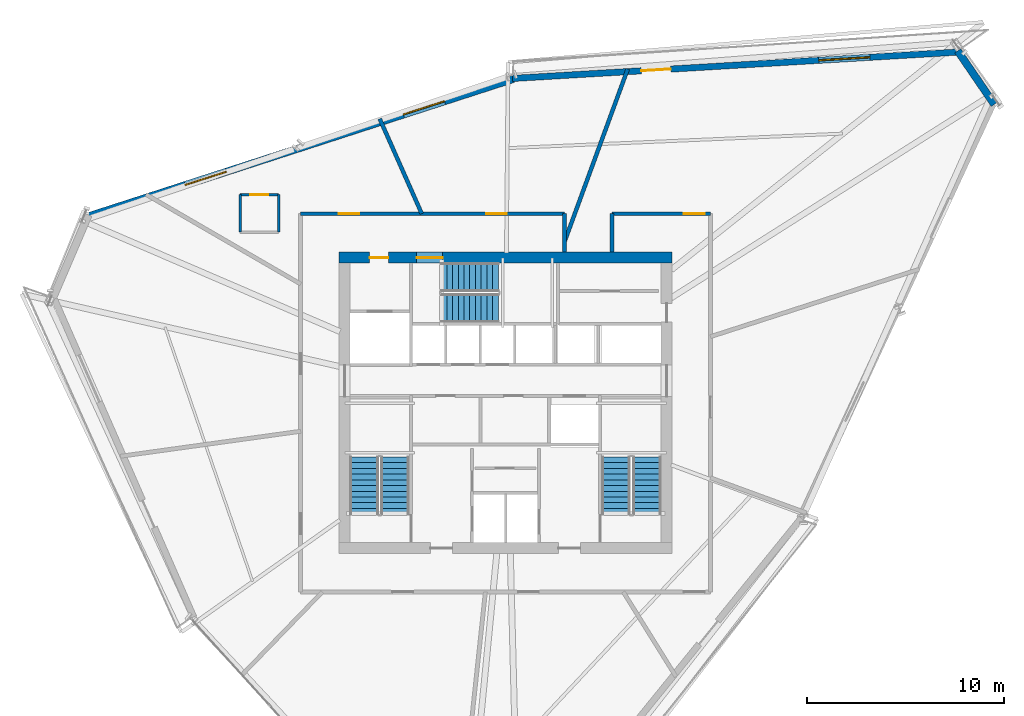
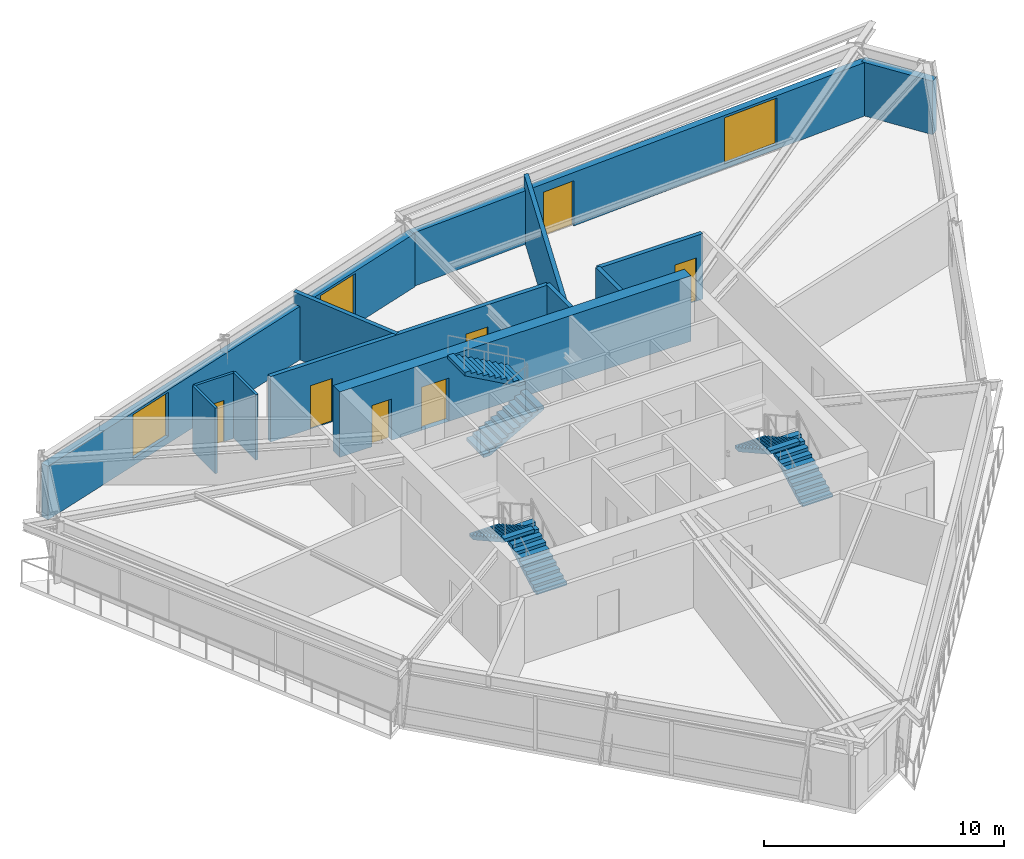
# One storey, part 10 of 13: 13 walls, 7 doors, 6 stair flights, 3 windows, 10 openings, 3 elements without a shape of their own.
"""IFC4 building model written with IfcOpenShell, lengths in metres."""

from ifc_helpers import new_model, si_unit, direction, frame, frame_2d, origin, place, context, subcontext, project, spatial, polyline, rectangle, outline, extrude, source, transform, mapped, material, layer, layer_set, type_object, type_shapes, element, fill, aggregate, save


model = new_model("IFC4")

# Units and contexts
model_context = context("Model", 3, precision=1e-05, world=origin(), true_north=direction((0.0, 1.0)))
body_context = subcontext(model_context, "Body", "Model", "MODEL_VIEW")
ifc_project = project(units=[si_unit("LENGTHUNIT", "METRE"), si_unit("AREAUNIT", "SQUARE_METRE"), si_unit("VOLUMEUNIT", "CUBIC_METRE"), si_unit("PLANEANGLEUNIT", "RADIAN"), si_unit("MASSUNIT", "GRAM", prefix="KILO")], contexts=[model_context])

# Site, building, storey
site_placement = place(None, origin())
site = spatial("IfcSite", under=ifc_project, at=site_placement, CompositionType="ELEMENT")
building_placement = place(site_placement, origin())
building = spatial("IfcBuilding", under=site, at=building_placement, Name="Olszyna Solenne Hotel", CompositionType="ELEMENT")
storey_placement = place(building_placement, frame((0.0, 0.0, 175.0)))
storey = spatial("IfcBuildingStorey", under=building, at=storey_placement, Name="L46", CompositionType="ELEMENT", Elevation=175.0)

# Wall, openings, doors
ifc_material_1 = material(Name="Concrete C50/60", Category="concrete")
ifc_layer_1 = layer(ifc_material_1, 0.550048828125, Name="Concrete C50/60")
ifc_layer_set_1 = layer_set([ifc_layer_1], Name="Concrete C50/60")
wall_type_1 = type_object("IfcWallType", Name="WL-CR550", PredefinedType="SHEAR", material=ifc_layer_set_1)
wall_1_placement = place(storey_placement, frame((29.550048828125, 33.97509765625, 0.0), z_axis=(0.0, 0.0, 1.0), x_axis=(1.0, 0.0, 0.0)))
wall_1 = element("IfcWall", 1, at=wall_1_placement, inside=storey, type_object=wall_type_1, Name="Core shear wall WL-CR550 CRW-L46-N", PredefinedType="SHEAR", context=body_context, shape_type="SweptSolid", body=[
    extrude(rectangle(XDim=16.89990234375, YDim=0.550048828125, at=frame_2d((8.449951171875, 0.0))), origin(), (0.0, 0.0, 1.0), 3.330078125),
])
opening_1_placement = place(wall_1_placement, frame((1.550048828125, 0.0, 0.0)))
opening_1 = element("IfcOpeningElement", 2, at=opening_1_placement, cuts=wall_1, Name="Opening SVD-L46-01", PredefinedType="OPENING", context=body_context, shape_type="SweptSolid", body=[
    extrude(rectangle(XDim=0.949951171875, YDim=2.10009765625, at=frame_2d((0.47509765625, 1.050048828125))), frame((0.0, 0.28515625, 0.0), z_axis=(0.0, -1.0, 0.0), x_axis=(1.0, 0.0, 0.0)), (0.0, 0.0, 1.0), 0.570068359375),
])
opening_2_placement = place(wall_1_placement, frame((3.929931640625, 0.0, 0.0)))
opening_2 = element("IfcOpeningElement", 3, at=opening_2_placement, cuts=wall_1, Name="Opening STD-L46-03", PredefinedType="OPENING", context=body_context, shape_type="SweptSolid", body=[
    extrude(rectangle(XDim=1.320068359375, YDim=2.199951171875, at=frame_2d((0.66015625, 1.10009765625))), frame((0.0, 0.28515625, 0.0), z_axis=(0.0, -1.0, 0.0), x_axis=(1.0, 0.0, 0.0)), (0.0, 0.0, 1.0), 0.570068359375),
])
ifc_material_2 = material(Name="Steel S355J2", Category="steel")
door_type_1 = type_object("IfcDoorType", Name="DR-ST1", OperationType="NOTDEFINED", PredefinedType="DOOR", material=ifc_material_2)
shared_shape_1 = source(origin(), body_context, "Body", "SweptSolid", [
    extrude(rectangle(XDim=1.320068359375, YDim=2.199951171875, at=frame_2d((0.66015625, 1.10009765625))), frame((0.0, 0.02490234375, 0.0), z_axis=(0.0, -1.0, 0.0), x_axis=(1.0, 0.0, 0.0)), (0.0, 0.0, 1.0), 0.050048828125),
])
type_shapes(door_type_1, [shared_shape_1])
door_1_placement = place(opening_2_placement, origin())
door_1 = element("IfcDoor", 4, at=door_1_placement, inside=storey, type_object=door_type_1, Name="Pressurised exit stair ST3 fire door STD-L46-03", OperationType="SINGLE_SWING_RIGHT", OverallHeight=2.199951171875, OverallWidth=1.320068359375, PredefinedType="DOOR", context=body_context, shape_type="MappedRepresentation", body=[
    mapped(shared_shape_1, transform((0.0, 0.0, 0.0), x_axis=(1.0, 0.0, 0.0), y_axis=(0.0, 1.0, 0.0), z_axis=(0.0, 0.0, 1.0), scale=1.0)),
])
fill(opening_2, door_1)
door_type_2 = type_object("IfcDoorType", Name="DR-SV1", OperationType="NOTDEFINED", PredefinedType="DOOR", material=ifc_material_2)
shared_shape_2 = source(origin(), body_context, "Body", "SweptSolid", [
    extrude(rectangle(XDim=0.949951171875, YDim=2.10009765625, at=frame_2d((0.47509765625, 1.050048828125))), frame((0.0, 0.02490234375, 0.0), z_axis=(0.0, -1.0, 0.0), x_axis=(1.0, 0.0, 0.0)), (0.0, 0.0, 1.0), 0.050048828125),
])
type_shapes(door_type_2, [shared_shape_2])
door_2_placement = place(opening_1_placement, origin())
door_2 = element("IfcDoor", 5, at=door_2_placement, inside=storey, type_object=door_type_2, Name="Service lift lobby fire door SVD-L46-01", OperationType="SINGLE_SWING_LEFT", OverallHeight=2.10009765625, OverallWidth=0.949951171875, PredefinedType="DOOR", context=body_context, shape_type="MappedRepresentation", body=[
    mapped(shared_shape_2, transform((0.0, 0.0, 0.0), x_axis=(1.0, 0.0, 0.0), y_axis=(0.0, 1.0, 0.0), z_axis=(0.0, 0.0, 1.0), scale=1.0)),
])
fill(opening_1, door_2)

# Wall, openings, door, window
ifc_material_3 = material(Name="Precast concrete C45/55", Category="concrete")
ifc_layer_2 = layer(ifc_material_3, 0.320068359375, Name="Precast concrete C45/55")
ifc_layer_set_2 = layer_set([ifc_layer_2], Name="Precast concrete C45/55")
wall_type_2 = type_object("IfcWallType", Name="WL-EX320", PredefinedType="SOLIDWALL", material=ifc_layer_set_2)
wall_2_placement = place(storey_placement, frame((38.35400390625, 43.0673828125, 0.0), z_axis=(0.0, 0.0, 1.0), x_axis=(0.998252151259, 0.059098582957, 0.0)))
wall_2 = element("IfcWall", 6, at=wall_2_placement, inside=storey, type_object=wall_type_2, Name="Exterior terracotta-precast frame wall WL-EX320 EW-L46-08", PredefinedType="SOLIDWALL", context=body_context, shape_type="SweptSolid", body=[
    extrude(rectangle(XDim=22.803466796875, YDim=0.320068359375, at=frame_2d((11.40185546875, 0.0))), origin(), (0.0, 0.0, 1.0), 2.721923828125),
])
opening_3_placement = place(wall_2_placement, frame((6.547119140625, 0.0, 0.0)))
opening_3 = element("IfcOpeningElement", 7, at=opening_3_placement, cuts=wall_2, Name="Opening LDG-L46-1", PredefinedType="OPENING", context=body_context, shape_type="SweptSolid", body=[
    extrude(rectangle(XDim=1.5, YDim=2.300048828125, at=frame_2d((0.75, 1.14990234375))), frame((0.0, 0.169921875, 0.0), z_axis=(0.0, -1.0, 0.0), x_axis=(1.0, 0.0, 0.0)), (0.0, 0.0, 1.0), 0.340087890625),
])
opening_4_placement = place(wall_2_placement, frame((15.573974609375, 0.0, 0.251953125)))
opening_4 = element("IfcOpeningElement", 8, at=opening_4_placement, cuts=wall_2, Name="Opening WN-L46-290", PredefinedType="OPENING", context=body_context, shape_type="SweptSolid", body=[
    extrude(rectangle(XDim=2.60009765625, YDim=2.35009765625, at=frame_2d((1.300048828125, 1.175048828125))), frame((0.0, 0.169921875, 0.0), z_axis=(0.0, -1.0, 0.0), x_axis=(1.0, 0.0, 0.0)), (0.0, 0.0, 1.0), 0.340087890625),
])
ifc_material_4 = material(Name="Anodised bronze aluminium", Category="aluminium")
door_type_3 = type_object("IfcDoorType", Name="DR-LG2", OperationType="DOUBLE_DOOR_SINGLE_SWING", PredefinedType="DOOR", material=ifc_material_4)
shared_shape_3 = source(origin(), body_context, "Body", "SweptSolid", [
    extrude(rectangle(XDim=1.5, YDim=2.300048828125, at=frame_2d((0.75, 1.14990234375))), frame((0.0, 0.02490234375, 0.0), z_axis=(0.0, -1.0, 0.0), x_axis=(1.0, 0.0, 0.0)), (0.0, 0.0, 1.0), 0.050048828125),
])
type_shapes(door_type_3, [shared_shape_3])
door_3_placement = place(opening_3_placement, origin())
door_3 = element("IfcDoor", 9, at=door_3_placement, inside=storey, type_object=door_type_3, Name="Exterior loggia balcony door DR-LG2 LDG-L46-1", OperationType="DOUBLE_DOOR_SINGLE_SWING", OverallHeight=2.300048828125, OverallWidth=1.5, PredefinedType="DOOR", context=body_context, shape_type="MappedRepresentation", body=[
    mapped(shared_shape_3, transform((0.0, 0.0, 0.0), x_axis=(1.0, 0.0, 0.0), y_axis=(0.0, 1.0, 0.0), z_axis=(0.0, 0.0, 1.0), scale=1.0)),
])
fill(opening_3, door_3)
ifc_material_5 = material(Name="Low-E triple glazing", Category="glass")
window_type_1 = type_object("IfcWindowType", Name="WN-ST1", PartitioningType="SINGLE_PANEL", PredefinedType="WINDOW", material=ifc_material_5)
shared_shape_4 = source(origin(), body_context, "Body", "SweptSolid", [
    extrude(rectangle(XDim=2.60009765625, YDim=2.35009765625, at=frame_2d((1.300048828125, 1.175048828125))), frame((0.0, 0.030029296875, 0.0), z_axis=(0.0, -1.0, 0.0), x_axis=(1.0, 0.0, 0.0)), (0.0, 0.0, 1.0), 0.06005859375),
])
type_shapes(window_type_1, [shared_shape_4])
window_1_placement = place(opening_4_placement, origin())
window_1 = element("IfcWindow", 10, at=window_1_placement, inside=storey, type_object=window_type_1, Name="Loggia room window WN-ST1 WN-L46-290", OverallHeight=2.35009765625, OverallWidth=2.60009765625, PartitioningType="SINGLE_PANEL", PredefinedType="WINDOW", context=body_context, shape_type="MappedRepresentation", body=[
    mapped(shared_shape_4, transform((0.0, 0.0, 0.0), x_axis=(1.0, 0.0, 0.0), y_axis=(0.0, 1.0, 0.0), z_axis=(0.0, 0.0, 1.0), scale=1.0)),
])
fill(opening_4, window_1)

# Wall, openings, windows
ifc_material_6 = material(Name="Terracotta cladding on precast concrete C45/55", Category="masonry")
ifc_layer_3 = layer(ifc_material_6, 0.3798828125, Name="Terracotta cladding on precast concrete C45/55")
ifc_layer_set_3 = layer_set([ifc_layer_3], Name="Terracotta cladding on precast concrete C45/55")
wall_type_3 = type_object("IfcWallType", Name="WL-EX380", PredefinedType="SOLIDWALL", material=ifc_layer_set_3)
wall_3_placement = place(storey_placement, frame((16.705810546875, 36.030517578125, 0.0), z_axis=(0.0, 0.0, 1.0), x_axis=(0.95149688804, 0.307658369056, 0.0)))
wall_3 = element("IfcWall", 11, at=wall_3_placement, inside=storey, type_object=wall_type_3, Name="Exterior terracotta-precast frame wall WL-EX380 EW-L46-07", PredefinedType="SOLIDWALL", context=body_context, shape_type="SweptSolid", body=[
    extrude(rectangle(XDim=22.80322265625, YDim=0.3798828125, at=frame_2d((11.401611328125, 0.0))), origin(), (0.0, 0.0, 1.0), 2.721923828125),
])
opening_5_placement = place(wall_3_placement, frame((5.284912109375, 0.0, 0.35205078125)))
opening_5 = element("IfcOpeningElement", 12, at=opening_5_placement, cuts=wall_3, Name="Opening WN-L46-288", PredefinedType="OPENING", context=body_context, shape_type="SweptSolid", body=[
    extrude(rectangle(XDim=2.199951171875, YDim=2.25, at=frame_2d((1.10009765625, 1.125))), frame((0.0, 0.199951171875, 0.0), z_axis=(0.0, -1.0, 0.0), x_axis=(1.0, 0.0, 0.0)), (0.0, 0.0, 1.0), 0.39990234375),
])
opening_6_placement = place(wall_3_placement, frame((16.91796875, 0.0, 0.35205078125)))
opening_6 = element("IfcOpeningElement", 13, at=opening_6_placement, cuts=wall_3, Name="Opening WN-L46-289", PredefinedType="OPENING", context=body_context, shape_type="SweptSolid", body=[
    extrude(rectangle(XDim=2.199951171875, YDim=2.25, at=frame_2d((1.10009765625, 1.125))), frame((0.0, 0.199951171875, 0.0), z_axis=(0.0, -1.0, 0.0), x_axis=(1.0, 0.0, 0.0)), (0.0, 0.0, 1.0), 0.39990234375),
])
window_type_2 = type_object("IfcWindowType", Name="WN-HT2", PartitioningType="SINGLE_PANEL", PredefinedType="WINDOW", material=ifc_material_5)
shared_shape_5 = source(origin(), body_context, "Body", "SweptSolid", [
    extrude(rectangle(XDim=2.199951171875, YDim=2.25, at=frame_2d((1.10009765625, 1.125))), frame((0.0, 0.030029296875, 0.0), z_axis=(0.0, -1.0, 0.0), x_axis=(1.0, 0.0, 0.0)), (0.0, 0.0, 1.0), 0.06005859375),
])
type_shapes(window_type_2, [shared_shape_5])
window_2_placement = place(opening_5_placement, origin())
window_2 = element("IfcWindow", 14, at=window_2_placement, inside=storey, type_object=window_type_2, Name="Exterior facade window WN-HT2 WN-L46-288", OverallHeight=2.25, OverallWidth=2.199951171875, PartitioningType="SINGLE_PANEL", PredefinedType="WINDOW", context=body_context, shape_type="MappedRepresentation", body=[
    mapped(shared_shape_5, transform((0.0, 0.0, 0.0), x_axis=(1.0, 0.0, 0.0), y_axis=(0.0, 1.0, 0.0), z_axis=(0.0, 0.0, 1.0), scale=1.0)),
])
fill(opening_5, window_2)
window_3_placement = place(opening_6_placement, origin())
window_3 = element("IfcWindow", 15, at=window_3_placement, inside=storey, type_object=window_type_2, Name="Exterior facade window WN-HT2 WN-L46-289", OverallHeight=2.25, OverallWidth=2.199951171875, PartitioningType="SINGLE_PANEL", PredefinedType="WINDOW", context=body_context, shape_type="MappedRepresentation", body=[
    mapped(shared_shape_5, transform((0.0, 0.0, 0.0), x_axis=(1.0, 0.0, 0.0), y_axis=(0.0, 1.0, 0.0), z_axis=(0.0, 0.0, 1.0), scale=1.0)),
])
fill(opening_6, window_3)

# Walls
wall_4_placement = place(storey_placement, frame((60.951171875, 44.467529296875, 0.0), z_axis=(0.0, 0.0, 1.0), x_axis=(0.564284906386, -0.825580125987, 0.0)))
element("IfcWall", 16, at=wall_4_placement, inside=storey, type_object=wall_type_3, Name="Exterior terracotta-precast frame wall WL-EX380 EW-L46-09", PredefinedType="SOLIDWALL", context=body_context, shape_type="SweptSolid", body=[
    extrude(rectangle(XDim=3.290771484375, YDim=0.3798828125, at=frame_2d((1.6455078125, 0.0))), origin(), (0.0, 0.0, 1.0), 2.721923828125),
])
ifc_material_7 = material(Name="Acoustic gypsum partition", Category="gypsum")
ifc_layer_4 = layer(ifc_material_7, 0.125, Name="Acoustic gypsum partition")
ifc_layer_set_4 = layer_set([ifc_layer_4], Name="Acoustic gypsum partition")
wall_type_4 = type_object("IfcWallType", Name="WL-PT125", PredefinedType="PARTITIONING", material=ifc_layer_set_4)
wall_5_placement = place(storey_placement, frame((26.47509765625, 35.26904296875, 0.0), z_axis=(0.0, 0.0, 1.0), x_axis=(0.0, 1.0, 0.0)))
element("IfcWall", 17, at=wall_5_placement, inside=storey, type_object=wall_type_4, Name="Interior acoustic partition WL-PT125 PW-L46-2575", PredefinedType="PARTITIONING", context=body_context, shape_type="SweptSolid", body=[
    extrude(rectangle(XDim=1.89990234375, YDim=0.125, at=frame_2d((0.949951171875, 0.0))), origin(), (0.0, 0.0, 1.0), 3.330078125),
])

# Wall, opening, door
wall_6_placement = place(storey_placement, frame((26.47509765625, 37.1689453125, 0.0), z_axis=(0.0, 0.0, 1.0), x_axis=(-1.0, 0.0, 0.0)))
wall_6 = element("IfcWall", 18, at=wall_6_placement, inside=storey, type_object=wall_type_4, Name="Interior acoustic partition WL-PT125 PW-L46-2576", PredefinedType="PARTITIONING", context=body_context, shape_type="SweptSolid", body=[
    extrude(rectangle(XDim=1.9501953125, YDim=0.125, at=frame_2d((0.97509765625, 0.0))), origin(), (0.0, 0.0, 1.0), 3.330078125),
])
opening_7_placement = place(wall_6_placement, frame((0.52490234375, 0.0, 0.0)))
opening_7 = element("IfcOpeningElement", 19, at=opening_7_placement, cuts=wall_6, Name="Opening DR-L46-0619", PredefinedType="OPENING", context=body_context, shape_type="SweptSolid", body=[
    extrude(rectangle(XDim=0.89990234375, YDim=2.10009765625, at=frame_2d((0.449951171875, 1.050048828125))), frame((0.0, 0.072509765625, 0.0), z_axis=(0.0, -1.0, 0.0), x_axis=(1.0, 0.0, 0.0)), (0.0, 0.0, 1.0), 0.14501953125),
])
ifc_material_8 = material(Name="Timber hardwood", Category="wood")
door_type_4 = type_object("IfcDoorType", Name="DR-WC1", OperationType="NOTDEFINED", PredefinedType="DOOR", material=ifc_material_8)
shared_shape_6 = source(origin(), body_context, "Body", "SweptSolid", [
    extrude(rectangle(XDim=0.89990234375, YDim=2.10009765625, at=frame_2d((0.449951171875, 1.050048828125))), frame((0.0, 0.02490234375, 0.0), z_axis=(0.0, -1.0, 0.0), x_axis=(1.0, 0.0, 0.0)), (0.0, 0.0, 1.0), 0.050048828125),
])
type_shapes(door_type_4, [shared_shape_6])
door_4_placement = place(opening_7_placement, origin())
door_4 = element("IfcDoor", 20, at=door_4_placement, inside=storey, type_object=door_type_4, Name="En-Suite Bathroom Door DR-L46-0619", OperationType="SINGLE_SWING_RIGHT", OverallHeight=2.10009765625, OverallWidth=0.89990234375, PredefinedType="DOOR", context=body_context, shape_type="MappedRepresentation", body=[
    mapped(shared_shape_6, transform((0.0, 0.0, 0.0), x_axis=(1.0, 0.0, 0.0), y_axis=(0.0, 1.0, 0.0), z_axis=(0.0, 0.0, 1.0), scale=1.0)),
])
fill(opening_7, door_4)

# Walls
wall_7_placement = place(storey_placement, frame((24.52490234375, 37.1689453125, 0.0), z_axis=(0.0, 0.0, 1.0), x_axis=(0.0, -1.0, 0.0)))
element("IfcWall", 21, at=wall_7_placement, inside=storey, type_object=wall_type_4, Name="Interior acoustic partition WL-PT125 PW-L46-2577", PredefinedType="PARTITIONING", context=body_context, shape_type="SweptSolid", body=[
    extrude(rectangle(XDim=1.89990234375, YDim=0.125, at=frame_2d((0.949951171875, 0.0))), origin(), (0.0, 0.0, 1.0), 3.330078125),
])
ifc_layer_5 = layer(ifc_material_7, 0.199951171875, Name="Acoustic gypsum partition")
ifc_layer_set_5 = layer_set([ifc_layer_5], Name="Acoustic gypsum partition")
wall_type_5 = type_object("IfcWallType", Name="WL-PT200", PredefinedType="PARTITIONING", material=ifc_layer_set_5)
wall_8_placement = place(storey_placement, frame((41.0, 34.7978515625, 0.0), z_axis=(0.0, 0.0, 1.0), x_axis=(0.343651455117, 0.939097267271, 0.0)))
element("IfcWall", 22, at=wall_8_placement, inside=storey, type_object=wall_type_5, Name="Interior acoustic partition WL-PT200 PW-L46-2573", PredefinedType="PARTITIONING", context=body_context, shape_type="SweptSolid", body=[
    extrude(rectangle(XDim=9.31298828125, YDim=0.199951171875, at=frame_2d((4.656494140625, 0.0))), origin(), (0.0, 0.0, 1.0), 3.330078125),
])
wall_9_placement = place(storey_placement, frame((33.745849609375, 36.199951171875, 0.0), z_axis=(0.0, 0.0, 1.0), x_axis=(-0.40512810206, 0.914259930721, 0.0)))
element("IfcWall", 23, at=wall_9_placement, inside=storey, type_object=wall_type_5, Name="Interior acoustic partition WL-PT200 PW-L46-2574", PredefinedType="PARTITIONING", context=body_context, shape_type="SweptSolid", body=[
    extrude(rectangle(XDim=5.27001953125, YDim=0.199951171875, at=frame_2d((2.635009765625, 0.0))), origin(), (0.0, 0.0, 1.0), 3.330078125),
])

# Wall, openings, doors
wall_10_placement = place(storey_placement, frame((27.60009765625, 36.199951171875, 0.0), z_axis=(0.0, 0.0, 1.0), x_axis=(1.0, 0.0, 0.0)))
wall_10 = element("IfcWall", 24, at=wall_10_placement, inside=storey, type_object=wall_type_5, Name="Interior acoustic partition WL-PT200 PW-L46-2581", PredefinedType="PARTITIONING", context=body_context, shape_type="SweptSolid", body=[
    extrude(rectangle(XDim=13.39990234375, YDim=0.199951171875, at=frame_2d((6.699951171875, 0.0))), origin(), (0.0, 0.0, 1.0), 3.330078125),
])
opening_8_placement = place(wall_10_placement, frame((9.4150390625, 0.0, 0.0)))
opening_8 = element("IfcOpeningElement", 25, at=opening_8_placement, cuts=wall_10, Name="Opening DR-L46-0625", PredefinedType="OPENING", context=body_context, shape_type="SweptSolid", body=[
    extrude(rectangle(XDim=1.050048828125, YDim=2.199951171875, at=frame_2d((0.52490234375, 1.10009765625))), frame((0.0, 0.10986328125, 0.0), z_axis=(0.0, -1.0, 0.0), x_axis=(1.0, 0.0, 0.0)), (0.0, 0.0, 1.0), 0.219970703125),
])
opening_9_placement = place(wall_10_placement, frame((1.928955078125, 0.0, 0.0)))
opening_9 = element("IfcOpeningElement", 26, at=opening_9_placement, cuts=wall_10, Name="Opening DR-L46-0626", PredefinedType="OPENING", context=body_context, shape_type="SweptSolid", body=[
    extrude(rectangle(XDim=1.050048828125, YDim=2.199951171875, at=frame_2d((0.52490234375, 1.10009765625))), frame((0.0, 0.10986328125, 0.0), z_axis=(0.0, -1.0, 0.0), x_axis=(1.0, 0.0, 0.0)), (0.0, 0.0, 1.0), 0.219970703125),
])
door_type_5 = type_object("IfcDoorType", Name="DR-RM2", OperationType="NOTDEFINED", PredefinedType="DOOR", material=ifc_material_8)
shared_shape_7 = source(origin(), body_context, "Body", "SweptSolid", [
    extrude(rectangle(XDim=1.050048828125, YDim=2.199951171875, at=frame_2d((0.52490234375, 1.10009765625))), frame((0.0, 0.02490234375, 0.0), z_axis=(0.0, -1.0, 0.0), x_axis=(1.0, 0.0, 0.0)), (0.0, 0.0, 1.0), 0.050048828125),
])
type_shapes(door_type_5, [shared_shape_7])
door_5_placement = place(opening_8_placement, origin())
door_5 = element("IfcDoor", 27, at=door_5_placement, inside=storey, type_object=door_type_5, Name="Boutique Art Gallery Entrance Door DR-L46-0625", OperationType="SINGLE_SWING_RIGHT", OverallHeight=2.199951171875, OverallWidth=1.050048828125, PredefinedType="DOOR", context=body_context, shape_type="MappedRepresentation", body=[
    mapped(shared_shape_7, transform((0.0, 0.0, 0.0), x_axis=(1.0, 0.0, 0.0), y_axis=(0.0, 1.0, 0.0), z_axis=(0.0, 0.0, 1.0), scale=1.0)),
])
fill(opening_8, door_5)
door_6_placement = place(opening_9_placement, origin())
door_6 = element("IfcDoor", 28, at=door_6_placement, inside=storey, type_object=door_type_5, Name="Executive Reading Salon Entrance Door DR-L46-0626", OperationType="SINGLE_SWING_LEFT", OverallHeight=2.199951171875, OverallWidth=1.050048828125, PredefinedType="DOOR", context=body_context, shape_type="MappedRepresentation", body=[
    mapped(shared_shape_7, transform((0.0, 0.0, 0.0), x_axis=(1.0, 0.0, 0.0), y_axis=(0.0, 1.0, 0.0), z_axis=(0.0, 0.0, 1.0), scale=1.0)),
])
fill(opening_9, door_6)

# Wall
wall_11_placement = place(storey_placement, frame((41.0, 34.25, 0.0), z_axis=(0.0, 0.0, 1.0), x_axis=(0.0, 1.0, 0.0)))
element("IfcWall", 29, at=wall_11_placement, inside=storey, type_object=wall_type_5, Name="Interior acoustic partition WL-PT200 PW-L46-2582", PredefinedType="PARTITIONING", context=body_context, shape_type="SweptSolid", body=[
    extrude(rectangle(XDim=1.949951171875, YDim=0.199951171875, at=frame_2d((0.97509765625, 0.0))), origin(), (0.0, 0.0, 1.0), 3.330078125),
])

# Wall, opening, door
wall_12_placement = place(storey_placement, frame((43.39990234375, 36.199951171875, 0.0), z_axis=(0.0, 0.0, 1.0), x_axis=(1.0, 0.0, 0.0)))
wall_12 = element("IfcWall", 30, at=wall_12_placement, inside=storey, type_object=wall_type_5, Name="Interior acoustic partition WL-PT200 PW-L46-2583", PredefinedType="PARTITIONING", context=body_context, shape_type="SweptSolid", body=[
    extrude(rectangle(XDim=5.0, YDim=0.199951171875, at=frame_2d((2.5, 0.0))), origin(), (0.0, 0.0, 1.0), 3.330078125),
])
opening_10_placement = place(wall_12_placement, frame((3.64990234375, 0.0, 0.0)))
opening_10 = element("IfcOpeningElement", 31, at=opening_10_placement, cuts=wall_12, Name="Opening DR-L46-0627", PredefinedType="OPENING", context=body_context, shape_type="SweptSolid", body=[
    extrude(rectangle(XDim=1.050048828125, YDim=2.199951171875, at=frame_2d((0.52490234375, 1.10009765625))), frame((0.0, 0.10986328125, 0.0), z_axis=(0.0, -1.0, 0.0), x_axis=(1.0, 0.0, 0.0)), (0.0, 0.0, 1.0), 0.219970703125),
])
door_7_placement = place(opening_10_placement, origin())
door_7 = element("IfcDoor", 32, at=door_7_placement, inside=storey, type_object=door_type_5, Name="Wellness Spa Studio Entrance Door DR-L46-0627", OperationType="SINGLE_SWING_LEFT", OverallHeight=2.199951171875, OverallWidth=1.050048828125, PredefinedType="DOOR", context=body_context, shape_type="MappedRepresentation", body=[
    mapped(shared_shape_7, transform((0.0, 0.0, 0.0), x_axis=(1.0, 0.0, 0.0), y_axis=(0.0, 1.0, 0.0), z_axis=(0.0, 0.0, 1.0), scale=1.0)),
])
fill(opening_10, door_7)

# Wall
wall_13_placement = place(storey_placement, frame((43.39990234375, 34.25, 0.0), z_axis=(0.0, 0.0, 1.0), x_axis=(0.0, 1.0, 0.0)))
element("IfcWall", 33, at=wall_13_placement, inside=storey, type_object=wall_type_5, Name="Interior acoustic partition WL-PT200 PW-L46-2584", PredefinedType="PARTITIONING", context=body_context, shape_type="SweptSolid", body=[
    extrude(rectangle(XDim=1.949951171875, YDim=0.199951171875, at=frame_2d((0.97509765625, 0.0))), origin(), (0.0, 0.0, 1.0), 3.330078125),
])

# Stair, stair flights
ifc_material_9 = material(Name="Concrete C40/50", Category="concrete")
stair_type = type_object("IfcStairType", Name="STR-C1", PredefinedType="TWO_QUARTER_WINDING_STAIR", material=ifc_material_9)
stair_1_placement = place(storey_placement, origin())
stair_1 = element("IfcStair", 34, at=stair_1_placement, inside=storey, type_object=stair_type, Name="L46 ST1", PredefinedType="TWO_QUARTER_WINDING_STAIR")
stair_flight_type = type_object("IfcStairFlightType", Name="FLT-C1", PredefinedType="STRAIGHT", material=ifc_material_9)
stair_flight_1_placement = place(storey_placement, frame((32.39501953125, 20.949951171875, 0.0), z_axis=(0.0, 0.0, 1.0), x_axis=(0.0, 1.0, 0.0)))
stair_flight_1 = element("IfcStairFlight", 35, at=stair_flight_1_placement, type_object=stair_flight_type, Name="ST1 flight 1", NumberOfRisers=11, NumberOfTreads=10, PredefinedType="STRAIGHT", RiserHeight=0.161363636, TreadLength=0.29, context=body_context, shape_type="SweptSolid", body=[
    extrude(outline(polyline([(0.0, 0.0), (0.0, 0.161376953125), (0.2900390625, 0.161376953125), (0.2900390625, 0.32275390625), (0.580078125, 0.32275390625), (0.580078125, 0.484130859375), (0.8701171875, 0.484130859375), (0.8701171875, 0.6455078125), (1.159912109375, 0.6455078125), (1.159912109375, 0.806884765625), (1.449951171875, 0.806884765625), (1.449951171875, 0.96826171875), (1.739990234375, 0.96826171875), (1.739990234375, 1.129638671875), (2.030029296875, 1.129638671875), (2.030029296875, 1.291015625), (2.320068359375, 1.291015625), (2.320068359375, 1.452392578125), (2.610107421875, 1.452392578125), (2.610107421875, 1.613525390625), (2.89990234375, 1.613525390625), (2.89990234375, 1.77490234375), (2.89990234375, 1.442138671875), (0.308349609375, 0.0), (0.0, 0.0)])), frame((0.0, 0.72509765625, 0.0), z_axis=(0.0, -1.0, 0.0), x_axis=(1.0, 0.0, 0.0)), (0.0, 0.0, 1.0), 1.449951171875),
])
stair_flight_2_placement = place(storey_placement, frame((30.824951171875, 23.85009765625, 1.77490234375), z_axis=(0.0, 0.0, 1.0), x_axis=(0.0, -1.0, 0.0)))
stair_flight_2 = element("IfcStairFlight", 36, at=stair_flight_2_placement, type_object=stair_flight_type, Name="ST1 flight 2", NumberOfRisers=11, NumberOfTreads=10, PredefinedType="STRAIGHT", RiserHeight=0.161363636, TreadLength=0.29, context=body_context, shape_type="SweptSolid", body=[
    extrude(outline(polyline([(0.0, 0.0), (0.0, 0.161376953125), (0.2900390625, 0.161376953125), (0.2900390625, 0.32275390625), (0.580078125, 0.32275390625), (0.580078125, 0.484130859375), (0.8701171875, 0.484130859375), (0.8701171875, 0.6455078125), (1.159912109375, 0.6455078125), (1.159912109375, 0.806884765625), (1.449951171875, 0.806884765625), (1.449951171875, 0.96826171875), (1.739990234375, 0.96826171875), (1.739990234375, 1.129638671875), (2.030029296875, 1.129638671875), (2.030029296875, 1.291015625), (2.320068359375, 1.291015625), (2.320068359375, 1.452392578125), (2.610107421875, 1.452392578125), (2.610107421875, 1.613525390625), (2.89990234375, 1.613525390625), (2.89990234375, 1.77490234375), (2.89990234375, 1.442138671875), (0.308349609375, 0.0), (0.0, 0.0)])), frame((0.0, 0.72509765625, 0.0), z_axis=(0.0, -1.0, 0.0), x_axis=(1.0, 0.0, 0.0)), (0.0, 0.0, 1.0), 1.449951171875),
])
aggregate(stair_1, [stair_flight_1, stair_flight_2])

stair_2_placement = place(storey_placement, origin())
stair_2 = element("IfcStair", 37, at=stair_2_placement, inside=storey, type_object=stair_type, Name="L46 ST2", PredefinedType="TWO_QUARTER_WINDING_STAIR")
stair_flight_3_placement = place(storey_placement, frame((45.175048828125, 20.949951171875, 0.0), z_axis=(0.0, 0.0, 1.0), x_axis=(0.0, 1.0, 0.0)))
stair_flight_3 = element("IfcStairFlight", 38, at=stair_flight_3_placement, type_object=stair_flight_type, Name="ST2 flight 1", NumberOfRisers=11, NumberOfTreads=10, PredefinedType="STRAIGHT", RiserHeight=0.161363636, TreadLength=0.29, context=body_context, shape_type="SweptSolid", body=[
    extrude(outline(polyline([(0.0, 0.0), (0.0, 0.161376953125), (0.2900390625, 0.161376953125), (0.2900390625, 0.32275390625), (0.580078125, 0.32275390625), (0.580078125, 0.484130859375), (0.8701171875, 0.484130859375), (0.8701171875, 0.6455078125), (1.159912109375, 0.6455078125), (1.159912109375, 0.806884765625), (1.449951171875, 0.806884765625), (1.449951171875, 0.96826171875), (1.739990234375, 0.96826171875), (1.739990234375, 1.129638671875), (2.030029296875, 1.129638671875), (2.030029296875, 1.291015625), (2.320068359375, 1.291015625), (2.320068359375, 1.452392578125), (2.610107421875, 1.452392578125), (2.610107421875, 1.613525390625), (2.89990234375, 1.613525390625), (2.89990234375, 1.77490234375), (2.89990234375, 1.442138671875), (0.308349609375, 0.0), (0.0, 0.0)])), frame((0.0, 0.72509765625, 0.0), z_axis=(0.0, -1.0, 0.0), x_axis=(1.0, 0.0, 0.0)), (0.0, 0.0, 1.0), 1.449951171875),
])
stair_flight_4_placement = place(storey_placement, frame((43.60498046875, 23.85009765625, 1.77490234375), z_axis=(0.0, 0.0, 1.0), x_axis=(0.0, -1.0, 0.0)))
stair_flight_4 = element("IfcStairFlight", 39, at=stair_flight_4_placement, type_object=stair_flight_type, Name="ST2 flight 2", NumberOfRisers=11, NumberOfTreads=10, PredefinedType="STRAIGHT", RiserHeight=0.161363636, TreadLength=0.29, context=body_context, shape_type="SweptSolid", body=[
    extrude(outline(polyline([(0.0, 0.0), (0.0, 0.161376953125), (0.2900390625, 0.161376953125), (0.2900390625, 0.32275390625), (0.580078125, 0.32275390625), (0.580078125, 0.484130859375), (0.8701171875, 0.484130859375), (0.8701171875, 0.6455078125), (1.159912109375, 0.6455078125), (1.159912109375, 0.806884765625), (1.449951171875, 0.806884765625), (1.449951171875, 0.96826171875), (1.739990234375, 0.96826171875), (1.739990234375, 1.129638671875), (2.030029296875, 1.129638671875), (2.030029296875, 1.291015625), (2.320068359375, 1.291015625), (2.320068359375, 1.452392578125), (2.610107421875, 1.452392578125), (2.610107421875, 1.613525390625), (2.89990234375, 1.613525390625), (2.89990234375, 1.77490234375), (2.89990234375, 1.442138671875), (0.308349609375, 0.0), (0.0, 0.0)])), frame((0.0, 0.72509765625, 0.0), z_axis=(0.0, -1.0, 0.0), x_axis=(1.0, 0.0, 0.0)), (0.0, 0.0, 1.0), 1.449951171875),
])
aggregate(stair_2, [stair_flight_3, stair_flight_4])

stair_3_placement = place(storey_placement, origin())
stair_3 = element("IfcStair", 40, at=stair_3_placement, inside=storey, type_object=stair_type, Name="L46 ST3", PredefinedType="TWO_QUARTER_WINDING_STAIR")
stair_flight_5_placement = place(storey_placement, frame((34.72998046875, 31.405029296875, 0.0), z_axis=(0.0, 0.0, 1.0), x_axis=(1.0, 0.0, 0.0)))
stair_flight_5 = element("IfcStairFlight", 41, at=stair_flight_5_placement, type_object=stair_flight_type, Name="ST3 flight 1", NumberOfRisers=11, NumberOfTreads=10, PredefinedType="STRAIGHT", RiserHeight=0.161363636, TreadLength=0.29, context=body_context, shape_type="SweptSolid", body=[
    extrude(outline(polyline([(0.0, 0.0), (0.0, 0.161376953125), (0.2900390625, 0.161376953125), (0.2900390625, 0.32275390625), (0.580078125, 0.32275390625), (0.580078125, 0.484130859375), (0.8701171875, 0.484130859375), (0.8701171875, 0.6455078125), (1.159912109375, 0.6455078125), (1.159912109375, 0.806884765625), (1.449951171875, 0.806884765625), (1.449951171875, 0.96826171875), (1.739990234375, 0.96826171875), (1.739990234375, 1.129638671875), (2.030029296875, 1.129638671875), (2.030029296875, 1.291015625), (2.320068359375, 1.291015625), (2.320068359375, 1.452392578125), (2.610107421875, 1.452392578125), (2.610107421875, 1.613525390625), (2.89990234375, 1.613525390625), (2.89990234375, 1.77490234375), (2.89990234375, 1.442138671875), (0.308349609375, 0.0), (0.0, 0.0)])), frame((0.0, 0.72509765625, 0.0), z_axis=(0.0, -1.0, 0.0), x_axis=(1.0, 0.0, 0.0)), (0.0, 0.0, 1.0), 1.449951171875),
])
stair_flight_6_placement = place(storey_placement, frame((37.6298828125, 32.97509765625, 1.77490234375), z_axis=(0.0, 0.0, 1.0), x_axis=(-1.0, 0.0, 0.0)))
stair_flight_6 = element("IfcStairFlight", 42, at=stair_flight_6_placement, type_object=stair_flight_type, Name="ST3 flight 2", NumberOfRisers=11, NumberOfTreads=10, PredefinedType="STRAIGHT", RiserHeight=0.161363636, TreadLength=0.29, context=body_context, shape_type="SweptSolid", body=[
    extrude(outline(polyline([(0.0, 0.0), (0.0, 0.161376953125), (0.2900390625, 0.161376953125), (0.2900390625, 0.32275390625), (0.580078125, 0.32275390625), (0.580078125, 0.484130859375), (0.8701171875, 0.484130859375), (0.8701171875, 0.6455078125), (1.159912109375, 0.6455078125), (1.159912109375, 0.806884765625), (1.449951171875, 0.806884765625), (1.449951171875, 0.96826171875), (1.739990234375, 0.96826171875), (1.739990234375, 1.129638671875), (2.030029296875, 1.129638671875), (2.030029296875, 1.291015625), (2.320068359375, 1.291015625), (2.320068359375, 1.452392578125), (2.610107421875, 1.452392578125), (2.610107421875, 1.613525390625), (2.89990234375, 1.613525390625), (2.89990234375, 1.77490234375), (2.89990234375, 1.442138671875), (0.308349609375, 0.0), (0.0, 0.0)])), frame((0.0, 0.72509765625, 0.0), z_axis=(0.0, -1.0, 0.0), x_axis=(1.0, 0.0, 0.0)), (0.0, 0.0, 1.0), 1.449951171875),
])
aggregate(stair_3, [stair_flight_5, stair_flight_6])

save(model, "model.ifc")
